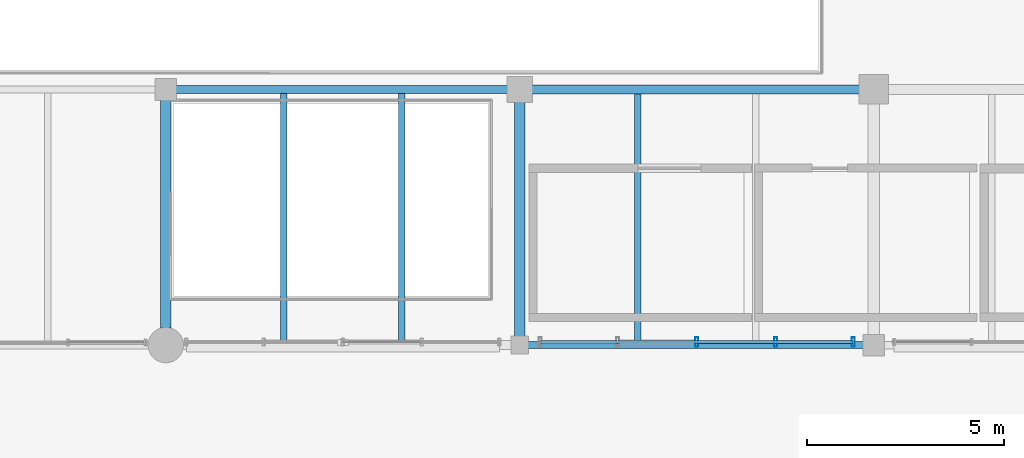
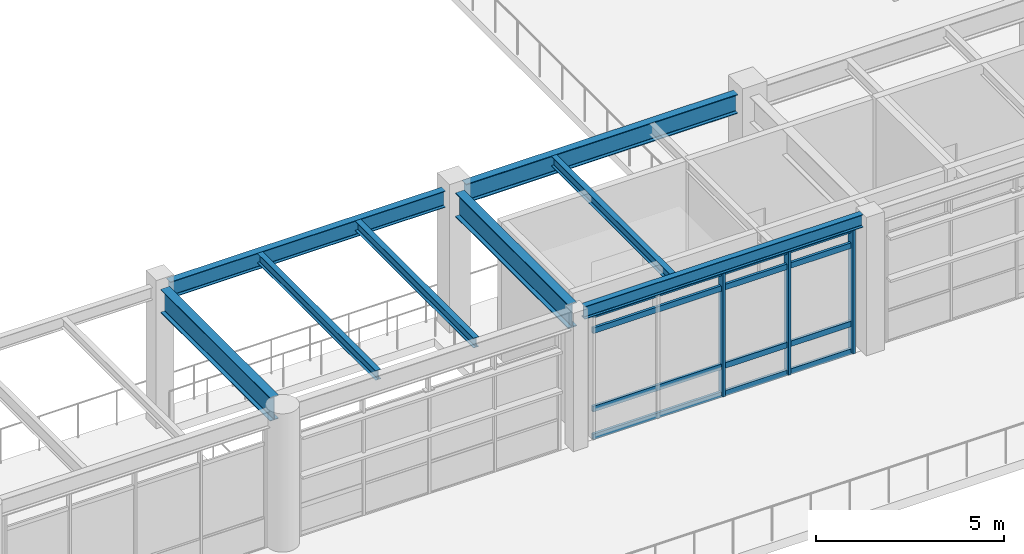
# One storey, part 50 of 200: 8 beams, 7 members, 1 element without a shape of its own.
"""IFC4 building model written with IfcOpenShell, lengths in metres."""

from ifc_helpers import new_model, si_unit, direction, frame, origin, origin_2d, place, context, subcontext, project, spatial, hollow_rectangle, i_section, extrude, material, material_profile, profile_set, type_object, element, aggregate, save


model = new_model("IFC4")

# Units and contexts
model_context = context("Model", 3, precision=1e-05, world=origin(), true_north=direction((0.0, 1.0)))
body_context = subcontext(model_context, "Body", "Model", "MODEL_VIEW")
ifc_project = project(units=[si_unit("LENGTHUNIT", "METRE"), si_unit("AREAUNIT", "SQUARE_METRE"), si_unit("VOLUMEUNIT", "CUBIC_METRE"), si_unit("PLANEANGLEUNIT", "RADIAN"), si_unit("MASSUNIT", "GRAM", prefix="KILO"), si_unit("THERMODYNAMICTEMPERATUREUNIT", "KELVIN"), si_unit("POWERUNIT", "WATT")], contexts=[model_context])

# Site, building, storey
site_placement = place(None, origin())
site = spatial("IfcSite", under=ifc_project, at=site_placement, CompositionType="ELEMENT")
building_placement = place(site_placement, origin())
building = spatial("IfcBuilding", under=site, at=building_placement, Name="Tepalcoro Natatorium and Aquatics Centre", CompositionType="ELEMENT")
storey_placement = place(building_placement, frame((0.0, 0.0, 5.39990234375)))
storey = spatial("IfcBuildingStorey", under=building, at=storey_placement, Name="L01", CompositionType="ELEMENT", Elevation=5.39990234375)

# Beams
ifc_material_1 = material(Name="Steel ASTM A992 Grade 50 (Fy 345 MPa)", Category="steel")
ifc_material_profile_1 = material_profile(ifc_material_1, i_section(OverallWidth=0.2099609375, OverallDepth=0.532958984375, WebThickness=0.010009765625, FlangeThickness=0.01611328125, FilletRadius=0.013916015625, at=origin_2d()), Name="W21X62")
ifc_profile_set_1 = profile_set([ifc_material_profile_1], Name="Steel ASTM A992 Grade 50 (Fy 345 MPa)")
beam_type_1 = type_object("IfcBeamType", Name="BM_W21x62", PredefinedType="BEAM", material=ifc_profile_set_1)
beam_1_placement = place(storey_placement, frame((98.260009765625, 13.0, 4.198486328125), z_axis=(1.0, 0.0, 0.0), x_axis=(0.0, 1.0, 0.0)))
element("IfcBeam", 1, at=beam_1_placement, inside=storey, type_object=beam_type_1, Name="V1 L01 Grid Girder X", PredefinedType="BEAM", context=body_context, shape_type="SweptSolid", body=[
    extrude(i_section(OverallWidth=0.2099609375, OverallDepth=0.532958984375, WebThickness=0.010009765625, FlangeThickness=0.01611328125, FilletRadius=0.013916015625, at=origin_2d()), origin(), (0.0, 0.0, 1.0), 8.429931640625),
])
ifc_material_profile_2 = material_profile(ifc_material_1, i_section(OverallWidth=0.22998046875, OverallDepth=0.616943359375, WebThickness=0.012939453125, FlangeThickness=0.02197265625, FilletRadius=0.013916015625, at=origin_2d()), Name="W24X94")
ifc_profile_set_2 = profile_set([ifc_material_profile_2], Name="Steel ASTM A992 Grade 50 (Fy 345 MPa)")
beam_type_2 = type_object("IfcBeamType", Name="BM_W24x94", PredefinedType="BEAM", material=ifc_profile_set_2)
beam_2_placement = place(storey_placement, frame((107.31005859375, 13.0, 4.156494140625), z_axis=(1.0, 0.0, 0.0), x_axis=(0.0, 1.0, 0.0)))
element("IfcBeam", 2, at=beam_2_placement, inside=storey, type_object=beam_type_2, Name="V1 L01 Grid Girder X", PredefinedType="BEAM", context=body_context, shape_type="SweptSolid", body=[
    extrude(i_section(OverallWidth=0.22998046875, OverallDepth=0.616943359375, WebThickness=0.012939453125, FlangeThickness=0.02197265625, FilletRadius=0.013916015625, at=origin_2d()), origin(), (0.0, 0.0, 1.0), 8.329833984375),
])
ifc_material_profile_3 = material_profile(ifc_material_1, i_section(OverallWidth=0.26708984375, OverallDepth=0.761962890625, WebThickness=0.013916015625, FlangeThickness=0.02197265625, FilletRadius=0.013916015625, at=origin_2d()), Name="W30X116")
ifc_profile_set_3 = profile_set([ifc_material_profile_3], Name="Steel ASTM A992 Grade 50 (Fy 345 MPa)")
beam_type_3 = type_object("IfcBeamType", Name="BM_W30x116", PredefinedType="BEAM", material=ifc_profile_set_3)
beam_3_placement = place(storey_placement, frame((98.0, 6.93505859375, 4.083984375), z_axis=(0.0, 1.0, 0.0), x_axis=(-1.0, 0.0, 0.0)))
element("IfcBeam", 3, at=beam_3_placement, inside=storey, type_object=beam_type_3, Name="V1 L01 Grid Girder Y", PredefinedType="BEAM", context=body_context, shape_type="SweptSolid", body=[
    extrude(i_section(OverallWidth=0.26708984375, OverallDepth=0.761962890625, WebThickness=0.013916015625, FlangeThickness=0.02197265625, FilletRadius=0.013916015625, at=origin_2d()), origin(), (0.0, 0.0, 1.0), 5.804931640625),
])
ifc_material_profile_4 = material_profile(ifc_material_1, i_section(OverallWidth=0.26708984375, OverallDepth=0.780029296875, WebThickness=0.01708984375, FlangeThickness=0.030029296875, FilletRadius=0.013916015625, at=origin_2d()), Name="W30X148")
ifc_profile_set_4 = profile_set([ifc_material_profile_4], Name="Steel ASTM A992 Grade 50 (Fy 345 MPa)")
beam_type_4 = type_object("IfcBeamType", Name="BM_W30x148", PredefinedType="BEAM", material=ifc_profile_set_4)
beam_4_placement = place(storey_placement, frame((107.0, 6.7099609375, 4.0751953125), z_axis=(0.0, 1.0, 0.0), x_axis=(-1.0, 0.0, 0.0)))
element("IfcBeam", 4, at=beam_4_placement, inside=storey, type_object=beam_type_4, Name="V1 L01 Grid Girder Y", PredefinedType="BEAM", context=body_context, shape_type="SweptSolid", body=[
    extrude(i_section(OverallWidth=0.26708984375, OverallDepth=0.780029296875, WebThickness=0.01708984375, FlangeThickness=0.030029296875, FilletRadius=0.013916015625, at=origin_2d()), origin(), (0.0, 0.0, 1.0), 5.97998046875),
])

# Curtain wall, members
ifc_material_2 = material(Name="Bronze-Anodised Extruded Aluminium Alloy EN AW-6063 T6", Category="aluminium")
curtain_wall_type = type_object("IfcCurtainWallType", Name="CW_LEAN_T2_NS", PredefinedType="USERDEFINED", material=ifc_material_2)
curtain_wall_placement = place(storey_placement, origin())
curtain_wall = element("IfcCurtainWall", 5, at=curtain_wall_placement, inside=storey, type_object=curtain_wall_type, Name="V1 L01 S Unitised Curtain Wall Bay 8", ObjectType="FACETED SOLAR GLAZING", PredefinedType="USERDEFINED")
ifc_material_profile_5 = material_profile(ifc_material_2, hollow_rectangle(XDim=0.080078125, YDim=0.239990234375, WallThickness=0.0048828125, at=origin_2d()), Name="AL80X240X5")
ifc_profile_set_5 = profile_set([ifc_material_profile_5], Name="Bronze-Anodised Extruded Aluminium Alloy EN AW-6063 T6")
member_type_1 = type_object("IfcMemberType", Name="CW_MUL_80x240", PredefinedType="MULLION", material=ifc_profile_set_5)
member_1_placement = place(storey_placement, frame((111.5, 6.576171875, 0.02001953125), z_axis=(0.0, 0.0, 1.0), x_axis=(1.0, 0.0, 0.0)))
member_1 = element("IfcMember", 6, at=member_1_placement, type_object=member_type_1, Name="CW_LEAN_T2_NS Curtain Wall Mullion", PredefinedType="MULLION", context=body_context, shape_type="SweptSolid", body=[
    extrude(hollow_rectangle(XDim=0.080078125, YDim=0.239990234375, WallThickness=0.0048828125, at=origin_2d()), origin(), (0.0, 0.0, 1.0), 3.9970703125),
])
member_2_placement = place(storey_placement, frame((113.510009765625, 6.576171875, 0.02001953125), z_axis=(0.0, 0.0, 1.0), x_axis=(1.0, 0.0, 0.0)))
member_2 = element("IfcMember", 7, at=member_2_placement, type_object=member_type_1, Name="CW_LEAN_T2_NS Curtain Wall Mullion", PredefinedType="MULLION", context=body_context, shape_type="SweptSolid", body=[
    extrude(hollow_rectangle(XDim=0.080078125, YDim=0.239990234375, WallThickness=0.0048828125, at=origin_2d()), origin(), (0.0, 0.0, 1.0), 3.9970703125),
])
member_3_placement = place(storey_placement, frame((115.47998046875, 6.576171875, 0.02001953125), z_axis=(0.0, 0.0, 1.0), x_axis=(1.0, 0.0, 0.0)))
member_3 = element("IfcMember", 8, at=member_3_placement, type_object=member_type_1, Name="CW_LEAN_T2_NS Curtain Wall Mullion", PredefinedType="MULLION", context=body_context, shape_type="SweptSolid", body=[
    extrude(hollow_rectangle(XDim=0.080078125, YDim=0.239990234375, WallThickness=0.0048828125, at=origin_2d()), origin(), (0.0, 0.0, 1.0), 3.9970703125),
])
ifc_material_profile_6 = material_profile(ifc_material_2, hollow_rectangle(XDim=0.080078125, YDim=0.179931640625, WallThickness=0.0048828125, at=origin_2d()), Name="AL80X180X5")
ifc_profile_set_6 = profile_set([ifc_material_profile_6], Name="Bronze-Anodised Extruded Aluminium Alloy EN AW-6063 T6")
member_type_2 = type_object("IfcMemberType", Name="CW_TRN_80x180", PredefinedType="USERDEFINED", material=ifc_profile_set_6)
member_4_placement = place(storey_placement, frame((107.530029296875, 6.576171875, 0.050048828125), z_axis=(1.0, 0.0, 0.0), x_axis=(0.0, 1.0, 0.0)))
member_4 = element("IfcMember", 9, at=member_4_placement, type_object=member_type_2, Name="CW_LEAN_T2_NS Curtain Wall Transom", ObjectType="TRANSOM", PredefinedType="USERDEFINED", context=body_context, shape_type="SweptSolid", body=[
    extrude(hollow_rectangle(XDim=0.080078125, YDim=0.179931640625, WallThickness=0.0048828125, at=origin_2d()), origin(), (0.0, 0.0, 1.0), 7.93994140625),
])
member_5_placement = place(storey_placement, frame((107.530029296875, 6.576171875, 0.9501953125), z_axis=(1.0, 0.0, 0.0), x_axis=(0.0, 1.0, 0.0)))
member_5 = element("IfcMember", 10, at=member_5_placement, type_object=member_type_2, Name="CW_LEAN_T2_NS Curtain Wall Transom", ObjectType="TRANSOM", PredefinedType="USERDEFINED", context=body_context, shape_type="SweptSolid", body=[
    extrude(hollow_rectangle(XDim=0.080078125, YDim=0.179931640625, WallThickness=0.0048828125, at=origin_2d()), origin(), (0.0, 0.0, 1.0), 7.93994140625),
])
member_6_placement = place(storey_placement, frame((107.530029296875, 6.576171875, 3.487060546875), z_axis=(1.0, 0.0, 0.0), x_axis=(0.0, 1.0, 0.0)))
member_6 = element("IfcMember", 11, at=member_6_placement, type_object=member_type_2, Name="CW_LEAN_T2_NS Curtain Wall Transom", ObjectType="TRANSOM", PredefinedType="USERDEFINED", context=body_context, shape_type="SweptSolid", body=[
    extrude(hollow_rectangle(XDim=0.080078125, YDim=0.179931640625, WallThickness=0.0048828125, at=origin_2d()), origin(), (0.0, 0.0, 1.0), 7.93994140625),
])
member_7_placement = place(storey_placement, frame((107.530029296875, 6.576171875, 3.987060546875), z_axis=(1.0, 0.0, 0.0), x_axis=(0.0, 1.0, 0.0)))
member_7 = element("IfcMember", 12, at=member_7_placement, type_object=member_type_2, Name="CW_LEAN_T2_NS Curtain Wall Transom", ObjectType="TRANSOM", PredefinedType="USERDEFINED", context=body_context, shape_type="SweptSolid", body=[
    extrude(hollow_rectangle(XDim=0.080078125, YDim=0.179931640625, WallThickness=0.0048828125, at=origin_2d()), origin(), (0.0, 0.0, 1.0), 7.93994140625),
])
aggregate(curtain_wall, [member_1, member_2, member_3, member_4, member_5, member_6, member_7])

# Beams
ifc_material_profile_7 = material_profile(ifc_material_1, i_section(OverallWidth=0.1650390625, OverallDepth=0.31005859375, WebThickness=0.006103515625, FlangeThickness=0.010009765625, FilletRadius=0.013916015625, at=origin_2d()), Name="W12X26")
ifc_profile_set_7 = profile_set([ifc_material_profile_7], Name="Steel ASTM A992 Grade 50 (Fy 345 MPa)")
beam_type_5 = type_object("IfcBeamType", Name="JS_W12x26", PredefinedType="JOIST", material=ifc_profile_set_7)
beam_5_placement = place(storey_placement, frame((101.0, 6.614501953125, 4.31005859375), z_axis=(0.0, 1.0, 0.0), x_axis=(-1.0, 0.0, 0.0)))
element("IfcBeam", 13, at=beam_5_placement, inside=storey, type_object=beam_type_5, Name="V1 L01 Floor Joist", PredefinedType="JOIST", context=body_context, shape_type="SweptSolid", body=[
    extrude(i_section(OverallWidth=0.1650390625, OverallDepth=0.31005859375, WebThickness=0.006103515625, FlangeThickness=0.010009765625, FilletRadius=0.013916015625, at=origin_2d()), origin(), (0.0, 0.0, 1.0), 6.280517578125),
])
ifc_material_profile_8 = material_profile(ifc_material_1, i_section(OverallWidth=0.1669921875, OverallDepth=0.318115234375, WebThickness=0.008056640625, FlangeThickness=0.012939453125, FilletRadius=0.013916015625, at=origin_2d()), Name="W12X35")
ifc_profile_set_8 = profile_set([ifc_material_profile_8], Name="Steel ASTM A992 Grade 50 (Fy 345 MPa)")
beam_type_6 = type_object("IfcBeamType", Name="JS_W12x35", PredefinedType="JOIST", material=ifc_profile_set_8)
beam_6_placement = place(storey_placement, frame((104.0, 6.614501953125, 4.30615234375), z_axis=(0.0, 1.0, 0.0), x_axis=(-1.0, 0.0, 0.0)))
element("IfcBeam", 14, at=beam_6_placement, inside=storey, type_object=beam_type_6, Name="V1 L01 Floor Joist", PredefinedType="JOIST", context=body_context, shape_type="SweptSolid", body=[
    extrude(i_section(OverallWidth=0.1669921875, OverallDepth=0.318115234375, WebThickness=0.008056640625, FlangeThickness=0.012939453125, FilletRadius=0.013916015625, at=origin_2d()), origin(), (0.0, 0.0, 1.0), 6.280517578125),
])
beam_7_placement = place(storey_placement, frame((110.0, 6.590087890625, 4.30615234375), z_axis=(0.0, 1.0, 0.0), x_axis=(-1.0, 0.0, 0.0)))
element("IfcBeam", 15, at=beam_7_placement, inside=storey, type_object=beam_type_6, Name="V1 L01 Floor Joist", PredefinedType="JOIST", context=body_context, shape_type="SweptSolid", body=[
    extrude(i_section(OverallWidth=0.1669921875, OverallDepth=0.318115234375, WebThickness=0.008056640625, FlangeThickness=0.012939453125, FilletRadius=0.013916015625, at=origin_2d()), origin(), (0.0, 0.0, 1.0), 6.294921875),
])
ifc_material_profile_9 = material_profile(ifc_material_1, i_section(OverallWidth=0.179931640625, OverallDepth=0.4130859375, WebThickness=0.010009765625, FlangeThickness=0.01611328125, FilletRadius=0.013916015625, at=origin_2d()), Name="W16X50")
ifc_profile_set_9 = profile_set([ifc_material_profile_9], Name="Steel ASTM A992 Grade 50 (Fy 345 MPa)")
beam_type_7 = type_object("IfcBeamType", Name="SP_HSS300x200x12", PredefinedType="SPANDREL", material=ifc_profile_set_9)
beam_8_placement = place(storey_placement, frame((107.2099609375, 6.5, 4.258544921875), z_axis=(1.0, 0.0, 0.0), x_axis=(0.0, 1.0, 0.0)))
element("IfcBeam", 16, at=beam_8_placement, inside=storey, type_object=beam_type_7, Name="V1 L01 Grid Girder X", PredefinedType="SPANDREL", context=body_context, shape_type="SweptSolid", body=[
    extrude(i_section(OverallWidth=0.179931640625, OverallDepth=0.4130859375, WebThickness=0.010009765625, FlangeThickness=0.01611328125, FilletRadius=0.013916015625, at=origin_2d()), origin(), (0.0, 0.0, 1.0), 8.530029296875),
])

save(model, "model.ifc")
